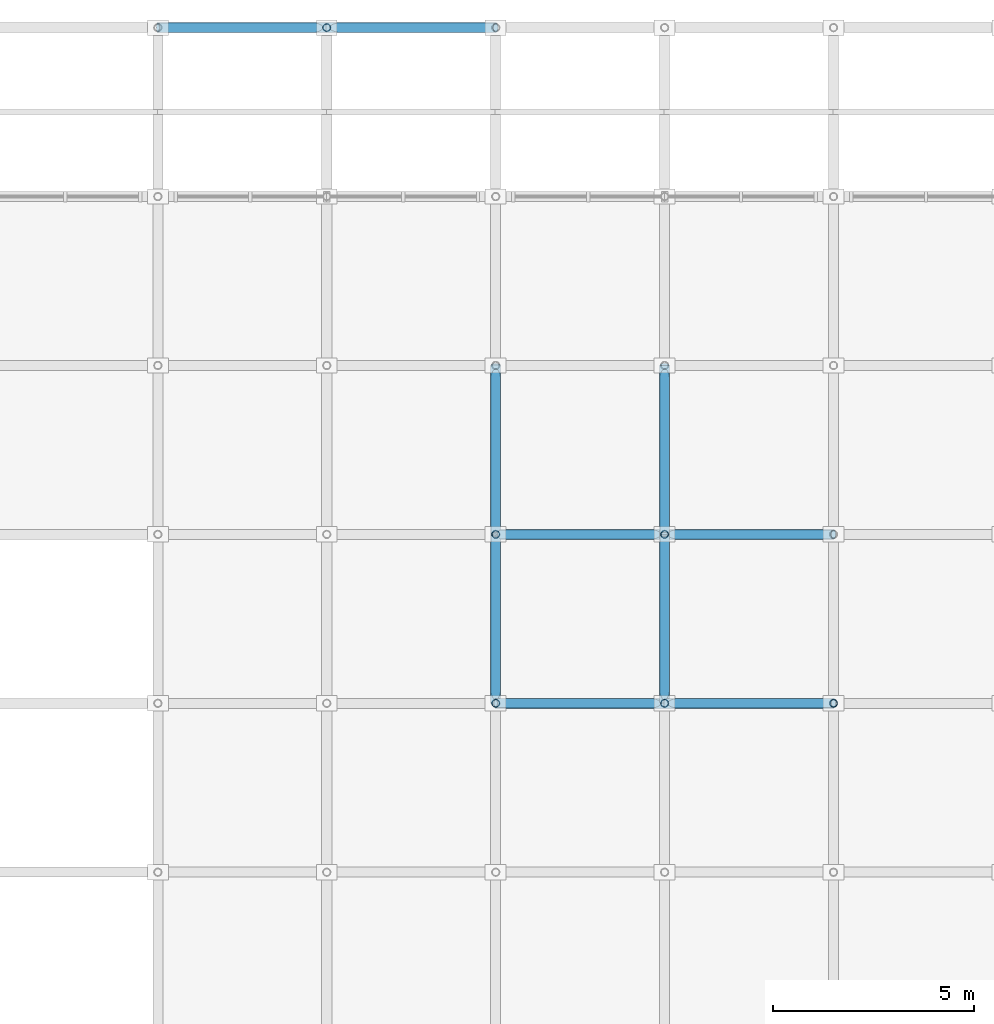
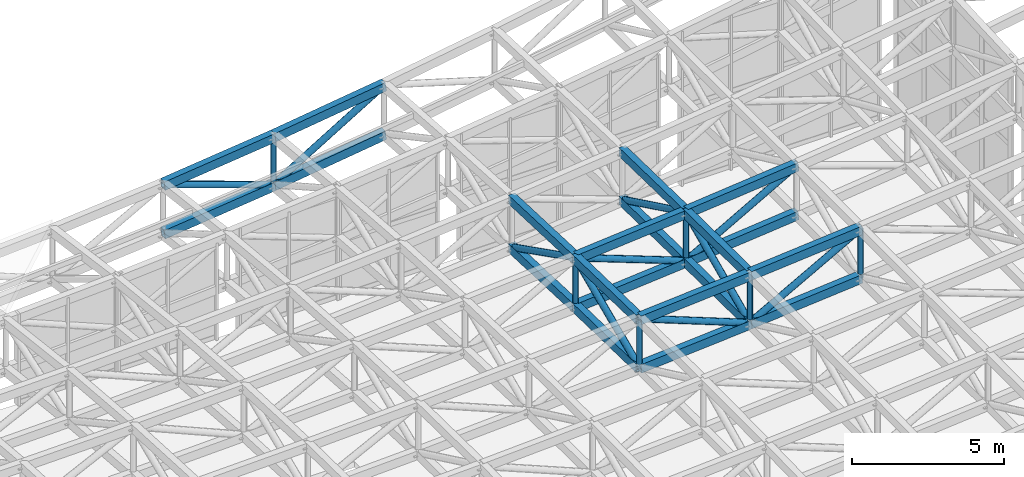
# One storey, part 57 of 111: 36 members.
"""IFC4 building model written with IfcOpenShell, lengths in metres."""

import ifcopenshell
import ifcopenshell.guid

model = None  # the IFC model being written
_history = None  # IfcOwnerHistory: only IFC2X3 demands one
_inside = {}  # id of a spatial element -> (the spatial element, [elements in it])
_under = {}  # id of a project, library or spatial element -> (it, [spatial elements below it])
_declared = {}  # id of a project -> (the project, [libraries it declares])
_typed = {}  # id of a type object -> (the type object, [elements of that type])
_made_of = {}  # id of a material, layer set ... -> (it, [elements and type objects made of it])


def new_model(schema):
    """Start an empty IFC model of exactly this schema.

    Asked for "IFC4X3", IfcOpenShell would pick the latest addendum, in which some entities
    have other attributes; the version numbers below select the first issue.
    IFC2X3 requires an IfcOwnerHistory on every rooted entity: one is made here for all.
    """
    global model, _history
    if schema == "IFC4X3":
        model = ifcopenshell.file(schema_version=(4, 3, 0, 0))
    else:
        model = ifcopenshell.file(schema=schema)
    _inside.clear()
    _under.clear()
    _declared.clear()
    _typed.clear()
    _made_of.clear()
    _history = None
    if model.schema == "IFC2X3":
        org = make("IfcOrganization", Name="unknown")
        user = make(
            "IfcPersonAndOrganization",
            ThePerson=make("IfcPerson", FamilyName="unknown"),
            TheOrganization=org,
        )
        app = make(
            "IfcApplication",
            ApplicationDeveloper=org,
            Version="unknown",
            ApplicationFullName="unknown",
            ApplicationIdentifier="unknown",
        )
        _history = make(
            "IfcOwnerHistory",
            OwningUser=user,
            OwningApplication=app,
            ChangeAction="ADDED",
            CreationDate=0,
        )
    return model


def make(cls, **values):
    """One entity of the class cls with the attributes given. An attribute that is None is left unset."""
    return model.create_entity(
        cls, **{name: value for name, value in values.items() if value is not None}
    )


def rooted(cls, **values):
    """An entity with a GlobalId (a new one), such as an element, a storey or a relation."""
    return make(cls, GlobalId=ifcopenshell.guid.new(), OwnerHistory=_history, **values)


def si_unit(unit_type, name, prefix=None):
    """IfcSIUnit, for example si_unit("LENGTHUNIT", "METRE", prefix="MILLI")."""
    return make("IfcSIUnit", UnitType=unit_type, Prefix=prefix, Name=name)


def assignment(units):
    """IfcUnitAssignment: the units of a project."""
    return None if units is None else make("IfcUnitAssignment", Units=units)


def point(xyz):
    """IfcCartesianPoint."""
    return None if xyz is None else make("IfcCartesianPoint", Coordinates=xyz)


def direction(xyz):
    """IfcDirection."""
    return None if xyz is None else make("IfcDirection", DirectionRatios=xyz)


def frame(location, z_axis=None, x_axis=None):
    """IfcAxis2Placement3D, a coordinate frame: its origin and axes. An axis left out is left unset."""
    return make(
        "IfcAxis2Placement3D",
        Location=point(location),
        Axis=direction(z_axis),
        RefDirection=direction(x_axis),
    )


def frame_2d(location, x_axis=None):
    """IfcAxis2Placement2D, a coordinate frame in the plane: its origin and x axis."""
    return make(
        "IfcAxis2Placement2D", Location=point(location), RefDirection=direction(x_axis)
    )


def origin():
    """The frame at (0, 0, 0) with its axes left unset."""
    return frame((0.0, 0.0, 0.0))


def origin_2d():
    """The frame at (0, 0) in the plane with its x axis left unset."""
    return frame_2d((0.0, 0.0))


def place(relative_to, where):
    """IfcLocalPlacement: puts the frame where relative to a parent placement (None: the world)."""
    return make(
        "IfcLocalPlacement", PlacementRelTo=relative_to, RelativePlacement=where
    )


def context(
    kind, dimensions, precision=None, world=None, true_north=None, identifier=None
):
    """IfcGeometricRepresentationContext, for example the 3D "Model" context."""
    return make(
        "IfcGeometricRepresentationContext",
        ContextIdentifier=identifier,
        ContextType=kind,
        CoordinateSpaceDimension=dimensions,
        Precision=precision,
        WorldCoordinateSystem=world,
        TrueNorth=true_north,
    )


def subcontext(parent, identifier, kind, view, scale=None):
    """IfcGeometricRepresentationSubContext, for example "Body" below "Model"."""
    return make(
        "IfcGeometricRepresentationSubContext",
        ContextIdentifier=identifier,
        ContextType=kind,
        ParentContext=parent,
        TargetScale=scale,
        TargetView=view,
    )


def project(units=None, contexts=None):
    """IfcProject with its units and contexts."""
    return rooted(
        "IfcProject",
        Name="project",
        RepresentationContexts=contexts,
        UnitsInContext=assignment(units),
    )


def spatial(cls, under=None, at=None, **own):
    """A site, building, storey or space (cls), placed at a placement, below another one or the project."""
    s = rooted(cls, ObjectPlacement=at, **own)
    if under is not None:
        _under.setdefault(under.id(), (under, []))[1].append(s)
    return s


def profile(cls, at=None, kind="AREA", **sizes):
    """A parametric profile (cls). Its sizes go by their IFC names, for example OverallWidth=200.0."""
    return make(cls, ProfileType=kind, Position=at, **sizes)


def hollow_rectangle(**sizes):
    """IfcRectangleHollowProfileDef."""
    return profile("IfcRectangleHollowProfileDef", **sizes)


def hollow_circle(**sizes):
    """IfcCircleHollowProfileDef."""
    return profile("IfcCircleHollowProfileDef", **sizes)


def extrude(swept, where, along, depth):
    """IfcExtrudedAreaSolid: the profile swept, set in the frame where, extruded along a direction by depth."""
    return make(
        "IfcExtrudedAreaSolid",
        SweptArea=swept,
        Position=where,
        ExtrudedDirection=direction(along),
        Depth=depth,
    )


def shape(context_of_items, identifier, shape_type, items):
    """IfcShapeRepresentation: the items that make up one representation, for example the "Body"."""
    return make(
        "IfcShapeRepresentation",
        ContextOfItems=context_of_items,
        RepresentationIdentifier=identifier,
        RepresentationType=shape_type,
        Items=items,
    )


def material(Name=None, Category=None):
    """IfcMaterial."""
    return make("IfcMaterial", Name=Name, Category=Category)


def material_profile(
    of_material, cross_section, Name=None, Category=None, Priority=None
):
    """IfcMaterialProfile: a cross section and its material."""
    return make(
        "IfcMaterialProfile",
        Name=Name,
        Material=of_material,
        Profile=cross_section,
        Priority=Priority,
        Category=Category,
    )


def profile_set(profiles, Name=None, composite=None):
    """IfcMaterialProfileSet."""
    return make(
        "IfcMaterialProfileSet",
        Name=Name,
        MaterialProfiles=profiles,
        CompositeProfile=composite,
    )


def made_of(thing, what):
    """Note that an element or type object is made of a material, layer set ...; save() writes the relation."""
    if what is not None:
        _made_of.setdefault(what.id(), (what, []))[1].append(thing)
    return thing


def type_object(cls, material=None, **own):
    """A type object (cls), such as IfcWallType, which elements share."""
    return made_of(rooted(cls, **own), material)


def element(
    cls,
    number,
    at=None,
    inside=None,
    cuts=None,
    type_object=None,
    material=None,
    context=None,
    identifier="Body",
    shape_type=None,
    held_by="IfcProductDefinitionShape",
    body=None,
    shapes=None,
    **own,
):
    """One element of the class cls, such as IfcWall. Its Tag is "e" and its number.

    at: its placement. inside: the storey or other place that contains it. cuts: it is an
    opening in that element (IfcRelVoidsElement). A single representation is given by context,
    identifier, shape_type and body (its items); several are given by shapes. held_by: the class
    of the entity that holds the representations. save() writes the other relations.
    """
    e = rooted(cls, Tag="e%d" % number, ObjectPlacement=at, **own)
    if body is not None:
        shapes = [shape(context, identifier, shape_type, body)]
    if shapes is not None:
        e.Representation = make(held_by, Representations=shapes)
    if inside is not None:
        _inside.setdefault(inside.id(), (inside, []))[1].append(e)
    if cuts is not None:
        rooted(
            "IfcRelVoidsElement", RelatingBuildingElement=cuts, RelatedOpeningElement=e
        )
    if type_object is not None:
        _typed.setdefault(type_object.id(), (type_object, []))[1].append(e)
    return made_of(e, material)


def aggregate(whole, parts):
    """IfcRelAggregates: a whole, such as a stair, and the parts it consists of."""
    return rooted("IfcRelAggregates", RelatingObject=whole, RelatedObjects=parts)


def save(model, path):
    """Write the relations noted so far, then the file.

    IfcRelAggregates (storeys below a building ...), IfcRelContainedInSpatialStructure (elements
    in a storey), IfcRelDefinesByType, IfcRelAssociatesMaterial and IfcRelDeclares: one each for
    every whole, place, type object, material and project.
    """
    for whole, parts in _under.values():
        aggregate(whole, parts)
    for where, things in _inside.values():
        rooted(
            "IfcRelContainedInSpatialStructure",
            RelatedElements=things,
            RelatingStructure=where,
        )
    for kind, things in _typed.values():
        rooted("IfcRelDefinesByType", RelatedObjects=things, RelatingType=kind)
    for what, things in _made_of.values():
        rooted("IfcRelAssociatesMaterial", RelatedObjects=things, RelatingMaterial=what)
    for by, libraries in _declared.values():
        rooted("IfcRelDeclares", RelatingContext=by, RelatedDefinitions=libraries)
    model.write(path)


model = new_model("IFC4")

# Units and contexts
model_context = context("Model", 3, precision=1e-05, world=origin(), true_north=direction((0.0, 1.0)))
body_context = subcontext(model_context, "Body", "Model", "MODEL_VIEW")
ifc_project = project(units=[si_unit("LENGTHUNIT", "METRE"), si_unit("AREAUNIT", "SQUARE_METRE"), si_unit("VOLUMEUNIT", "CUBIC_METRE"), si_unit("PLANEANGLEUNIT", "RADIAN"), si_unit("MASSUNIT", "GRAM", prefix="KILO")], contexts=[model_context])

# Site, building, storey
site_placement = place(None, origin())
site = spatial("IfcSite", under=ifc_project, at=site_placement, CompositionType="ELEMENT")
building_placement = place(site_placement, origin())
building = spatial("IfcBuilding", under=site, at=building_placement, Name="Cumbredor Promenade Congress Hotel", CompositionType="ELEMENT")
storey_placement = place(building_placement, frame((0.0, 0.0, 15.1201171875)))
storey = spatial("IfcBuildingStorey", under=building, at=storey_placement, Name="L04", CompositionType="ELEMENT", Elevation=15.1201171875)

# Members
ifc_material = material(Name="Steel ASTM A500 Grade C", Category="steel")
ifc_material_profile_1 = material_profile(ifc_material, hollow_rectangle(XDim=0.25, YDim=0.35009765625, WallThickness=0.01611328125, at=origin_2d()), Name="HSS 350x250x16")
ifc_profile_set_1 = profile_set([ifc_material_profile_1], Name="Steel ASTM A500 Grade C")
member_type_1 = type_object("IfcMemberType", Name="Forum Roof Truss Chord", PredefinedType="CHORD", material=ifc_profile_set_1)
for number, where, z_axis, x_axis, name in (
    (1, (159.60009765625, 105.0, 5.345703125), (0.997178629164, 0.0, 0.075065181931), (0.0, 1.0, 0.0), "Pre-Function and Breakout Meeting Forum X Top Chord 18.7"),
    (2, (159.60009765625, 105.0, 3.395751953125), (0.997182966423, 0.0, 0.075007542786), (0.0, 1.0, 0.0), "Pre-Function and Breakout Meeting Forum X Bottom Chord 18.7"),
):
    element("IfcMember", number, at=place(storey_placement, frame(where, z_axis=z_axis, x_axis=x_axis)), inside=storey, type_object=member_type_1, Name=name, PredefinedType="CHORD", context=body_context, shape_type="SweptSolid", body=[
        extrude(hollow_rectangle(XDim=0.25, YDim=0.35009765625, WallThickness=0.01611328125, at=origin_2d()), origin(), (0.0, 0.0, 1.0), 4.2119140625),
    ])
for number, where, z_axis, x_axis, name in (
    (3, (163.800048828125, 105.0, 5.661865234375), (0.996255133542, 0.0, 0.086462181851), (0.0, 1.0, 0.0), "Pre-Function and Breakout Meeting Forum X Top Chord 19.7"),
    (4, (163.800048828125, 105.0, 3.711669921875), (0.996250143488, 0.0, 0.086519660197), (0.0, 1.0, 0.0), "Pre-Function and Breakout Meeting Forum X Bottom Chord 19.7"),
):
    element("IfcMember", number, at=place(storey_placement, frame(where, z_axis=z_axis, x_axis=x_axis)), inside=storey, type_object=member_type_1, Name=name, PredefinedType="CHORD", context=body_context, shape_type="SweptSolid", body=[
        extrude(hollow_rectangle(XDim=0.25, YDim=0.35009765625, WallThickness=0.01611328125, at=origin_2d()), origin(), (0.0, 0.0, 1.0), 4.2158203125),
    ])
for number, where, z_axis, x_axis, name in (
    (5, (159.60009765625, 109.199951171875, 5.24560546875), (0.996294936381, 0.0, 0.086002324044), (0.0, 1.0, 0.0), "Pre-Function and Breakout Meeting Forum X Top Chord 18.8"),
    (6, (159.60009765625, 109.199951171875, 3.295654296875), (0.996294936381, 0.0, 0.086002324044), (0.0, 1.0, 0.0), "Pre-Function and Breakout Meeting Forum X Bottom Chord 18.8"),
):
    element("IfcMember", number, at=place(storey_placement, frame(where, z_axis=z_axis, x_axis=x_axis)), inside=storey, type_object=member_type_1, Name=name, PredefinedType="CHORD", context=body_context, shape_type="SweptSolid", body=[
        extrude(hollow_rectangle(XDim=0.25, YDim=0.35009765625, WallThickness=0.01611328125, at=origin_2d()), origin(), (0.0, 0.0, 1.0), 4.215576171875),
    ])
for number, where, z_axis, x_axis, name in (
    (7, (163.800048828125, 109.199951171875, 5.608154296875), (0.99507890994, 0.0, 0.099085634641), (0.0, 1.0, 0.0), "Pre-Function and Breakout Meeting Forum X Top Chord 19.8"),
    (8, (163.800048828125, 109.199951171875, 3.658203125), (0.995084611563, 0.0, 0.099028358716), (0.0, 1.0, 0.0), "Pre-Function and Breakout Meeting Forum X Bottom Chord 19.8"),
):
    element("IfcMember", number, at=place(storey_placement, frame(where, z_axis=z_axis, x_axis=x_axis)), inside=storey, type_object=member_type_1, Name=name, PredefinedType="CHORD", context=body_context, shape_type="SweptSolid", body=[
        extrude(hollow_rectangle(XDim=0.25, YDim=0.35009765625, WallThickness=0.01611328125, at=origin_2d()), origin(), (0.0, 0.0, 1.0), 4.220703125),
    ])
for number, where, z_axis, x_axis, name in (
    (9, (151.199951171875, 121.800048828125, 3.48974609375), (0.993643341415, 0.0, 0.11257402037), (0.0, 1.0, 0.0), "Pre-Function and Breakout Meeting Forum X Top Chord 16.11"),
    (10, (151.199951171875, 121.800048828125, 1.539794921875), (0.993643341415, 0.0, 0.11257402037), (0.0, 1.0, 0.0), "Pre-Function and Breakout Meeting Forum X Bottom Chord 16.11"),
):
    element("IfcMember", number, at=place(storey_placement, frame(where, z_axis=z_axis, x_axis=x_axis)), inside=storey, type_object=member_type_1, Name=name, PredefinedType="CHORD", context=body_context, shape_type="SweptSolid", body=[
        extrude(hollow_rectangle(XDim=0.25, YDim=0.35009765625, WallThickness=0.01611328125, at=origin_2d()), origin(), (0.0, 0.0, 1.0), 4.226806640625),
    ])
for number, where, z_axis, x_axis, name in (
    (11, (155.39990234375, 121.800048828125, 3.965576171875), (0.990558409164, 0.0, 0.137091349234), (0.0, 1.0, 0.0), "Pre-Function and Breakout Meeting Forum X Top Chord 17.11"),
    (12, (155.39990234375, 121.800048828125, 2.015625), (0.990558409164, 0.0, 0.137091349234), (0.0, 1.0, 0.0), "Pre-Function and Breakout Meeting Forum X Bottom Chord 17.11"),
):
    element("IfcMember", number, at=place(storey_placement, frame(where, z_axis=z_axis, x_axis=x_axis)), inside=storey, type_object=member_type_1, Name=name, PredefinedType="CHORD", context=body_context, shape_type="SweptSolid", body=[
        extrude(hollow_rectangle(XDim=0.25, YDim=0.35009765625, WallThickness=0.01611328125, at=origin_2d()), origin(), (0.0, 0.0, 1.0), 4.240234375),
    ])
for number, where, z_axis, x_axis, name in (
    (13, (159.60009765625, 105.0, 5.345703125), (0.0, 0.99971611374, -0.023826286498), (-1.0, 0.0, 0.0), "Pre-Function and Breakout Meeting Forum Y Top Chord 18.7"),
    (14, (159.60009765625, 105.0, 3.395751953125), (0.0, 0.99971611374, -0.023826286498), (-1.0, 0.0, 0.0), "Pre-Function and Breakout Meeting Forum Y Bottom Chord 18.7"),
):
    element("IfcMember", number, at=place(storey_placement, frame(where, z_axis=z_axis, x_axis=x_axis)), inside=storey, type_object=member_type_1, Name=name, PredefinedType="CHORD", context=body_context, shape_type="SweptSolid", body=[
        extrude(hollow_rectangle(XDim=0.25, YDim=0.35009765625, WallThickness=0.01611328125, at=origin_2d()), origin(), (0.0, 0.0, 1.0), 4.201171875),
    ])
for number, where, z_axis, x_axis, name in (
    (15, (159.60009765625, 109.199951171875, 5.24560546875), (0.0, 0.999215091886, -0.039613131004), (-1.0, 0.0, 0.0), "Pre-Function and Breakout Meeting Forum Y Top Chord 18.8"),
    (16, (159.60009765625, 109.199951171875, 3.295654296875), (0.0, 0.999212791134, -0.039671123429), (-1.0, 0.0, 0.0), "Pre-Function and Breakout Meeting Forum Y Bottom Chord 18.8"),
):
    element("IfcMember", number, at=place(storey_placement, frame(where, z_axis=z_axis, x_axis=x_axis)), inside=storey, type_object=member_type_1, Name=name, PredefinedType="CHORD", context=body_context, shape_type="SweptSolid", body=[
        extrude(hollow_rectangle(XDim=0.25, YDim=0.35009765625, WallThickness=0.01611328125, at=origin_2d()), origin(), (0.0, 0.0, 1.0), 4.203369140625),
    ])
for number, where, z_axis, x_axis, name in (
    (17, (163.800048828125, 105.0, 5.661865234375), (0.0, 0.999918237583, -0.012787421512), (-1.0, 0.0, 0.0), "Pre-Function and Breakout Meeting Forum Y Top Chord 19.7"),
    (18, (163.800048828125, 105.0, 3.711669921875), (0.0, 0.999918979098, -0.012729306308), (-1.0, 0.0, 0.0), "Pre-Function and Breakout Meeting Forum Y Bottom Chord 19.7"),
):
    element("IfcMember", number, at=place(storey_placement, frame(where, z_axis=z_axis, x_axis=x_axis)), inside=storey, type_object=member_type_1, Name=name, PredefinedType="CHORD", context=body_context, shape_type="SweptSolid", body=[
        extrude(hollow_rectangle(XDim=0.25, YDim=0.35009765625, WallThickness=0.01611328125, at=origin_2d()), origin(), (0.0, 0.0, 1.0), 4.2001953125),
    ])
for number, where, z_axis, x_axis, name in (
    (19, (163.800048828125, 109.199951171875, 5.608154296875), (0.0, 0.999773756353, -0.021270545534), (-1.0, 0.0, 0.0), "Pre-Function and Breakout Meeting Forum Y Top Chord 19.8"),
    (20, (163.800048828125, 109.199951171875, 3.658203125), (0.0, 0.999772518783, -0.021328635377), (-1.0, 0.0, 0.0), "Pre-Function and Breakout Meeting Forum Y Bottom Chord 19.8"),
):
    element("IfcMember", number, at=place(storey_placement, frame(where, z_axis=z_axis, x_axis=x_axis)), inside=storey, type_object=member_type_1, Name=name, PredefinedType="CHORD", context=body_context, shape_type="SweptSolid", body=[
        extrude(hollow_rectangle(XDim=0.25, YDim=0.35009765625, WallThickness=0.01611328125, at=origin_2d()), origin(), (0.0, 0.0, 1.0), 4.200927734375),
    ])
ifc_material_profile_2 = material_profile(ifc_material, hollow_circle(Radius=0.122314453125, WallThickness=0.012451171875, at=origin_2d()), Name="CHS 244.5x12.5")
ifc_profile_set_2 = profile_set([ifc_material_profile_2], Name="Steel ASTM A500 Grade C")
member_type_2 = type_object("IfcMemberType", Name="Space Frame Web Diagonal D2", PredefinedType="BRACE", material=ifc_profile_set_2)
member_1_placement = place(storey_placement, frame((159.60009765625, 105.0, 5.345703125), z_axis=(0.931950777982, 0.0, -0.362584814104), x_axis=(0.0, 1.0, 0.0)))
element("IfcMember", 21, at=member_1_placement, inside=storey, type_object=member_type_2, Name="Pre-Function and Breakout Meeting Forum X Web Diagonal 18.7", PredefinedType="BRACE", context=body_context, shape_type="SweptSolid", body=[
    extrude(hollow_circle(Radius=0.122314453125, WallThickness=0.012451171875, at=origin_2d()), origin(), (0.0, 0.0, 1.0), 4.506591796875),
])
member_2_placement = place(storey_placement, frame((163.800048828125, 105.0, 3.711669921875), z_axis=(0.875799607979, 0.0, 0.482674887127), x_axis=(0.0, 1.0, 0.0)))
element("IfcMember", 22, at=member_2_placement, inside=storey, type_object=member_type_2, Name="Pre-Function and Breakout Meeting Forum X Web Diagonal 19.7", PredefinedType="BRACE", context=body_context, shape_type="SweptSolid", body=[
    extrude(hollow_circle(Radius=0.122314453125, WallThickness=0.012451171875, at=origin_2d()), origin(), (0.0, 0.0, 1.0), 4.795654296875),
])
member_3_placement = place(storey_placement, frame((159.60009765625, 109.199951171875, 5.24560546875), z_axis=(0.935416555501, 0.0, -0.353547546583), x_axis=(0.0, 1.0, 0.0)))
element("IfcMember", 23, at=member_3_placement, inside=storey, type_object=member_type_2, Name="Pre-Function and Breakout Meeting Forum X Web Diagonal 18.8", PredefinedType="BRACE", context=body_context, shape_type="SweptSolid", body=[
    extrude(hollow_circle(Radius=0.122314453125, WallThickness=0.012451171875, at=origin_2d()), origin(), (0.0, 0.0, 1.0), 4.489990234375),
])
member_4_placement = place(storey_placement, frame((163.800048828125, 109.199951171875, 3.658203125), z_axis=(0.871070680994, 0.0, 0.491157682128), x_axis=(0.0, 1.0, 0.0)))
element("IfcMember", 24, at=member_4_placement, inside=storey, type_object=member_type_2, Name="Pre-Function and Breakout Meeting Forum X Web Diagonal 19.8", PredefinedType="BRACE", context=body_context, shape_type="SweptSolid", body=[
    extrude(hollow_circle(Radius=0.122314453125, WallThickness=0.012451171875, at=origin_2d()), origin(), (0.0, 0.0, 1.0), 4.821533203125),
])
member_5_placement = place(storey_placement, frame((151.199951171875, 121.800048828125, 3.48974609375), z_axis=(0.943568111505, 0.0, -0.33117853033), x_axis=(0.0, 1.0, 0.0)))
element("IfcMember", 25, at=member_5_placement, inside=storey, type_object=member_type_2, Name="Pre-Function and Breakout Meeting Forum X Web Diagonal 16.11", PredefinedType="BRACE", context=body_context, shape_type="SweptSolid", body=[
    extrude(hollow_circle(Radius=0.122314453125, WallThickness=0.012451171875, at=origin_2d()), origin(), (0.0, 0.0, 1.0), 4.451171875),
])
member_6_placement = place(storey_placement, frame((155.39990234375, 121.800048828125, 2.015625), z_axis=(0.856489757249, 0.0, 0.516164020179), x_axis=(0.0, 1.0, 0.0)))
element("IfcMember", 26, at=member_6_placement, inside=storey, type_object=member_type_2, Name="Pre-Function and Breakout Meeting Forum X Web Diagonal 17.11", PredefinedType="BRACE", context=body_context, shape_type="SweptSolid", body=[
    extrude(hollow_circle(Radius=0.122314453125, WallThickness=0.012451171875, at=origin_2d()), origin(), (0.0, 0.0, 1.0), 4.904052734375),
])
member_7_placement = place(storey_placement, frame((159.60009765625, 105.0, 3.395751953125), z_axis=(0.0, 0.915164359743, 0.403080878554), x_axis=(-1.0, 0.0, 0.0)))
element("IfcMember", 27, at=member_7_placement, inside=storey, type_object=member_type_2, Name="Pre-Function and Breakout Meeting Forum Y Web Diagonal 18.7", PredefinedType="BRACE", context=body_context, shape_type="SweptSolid", body=[
    extrude(hollow_circle(Radius=0.122314453125, WallThickness=0.012451171875, at=origin_2d()), origin(), (0.0, 0.0, 1.0), 4.58935546875),
])
member_8_placement = place(storey_placement, frame((159.60009765625, 109.199951171875, 5.24560546875), z_axis=(0.0, 0.893000345184, -0.450055978187), x_axis=(-1.0, 0.0, 0.0)))
element("IfcMember", 28, at=member_8_placement, inside=storey, type_object=member_type_2, Name="Pre-Function and Breakout Meeting Forum Y Web Diagonal 18.8", PredefinedType="BRACE", context=body_context, shape_type="SweptSolid", body=[
    extrude(hollow_circle(Radius=0.122314453125, WallThickness=0.012451171875, at=origin_2d()), origin(), (0.0, 0.0, 1.0), 4.703125),
])
member_9_placement = place(storey_placement, frame((163.800048828125, 105.0, 3.711669921875), z_axis=(0.0, 0.911392394281, 0.4115384595), x_axis=(-1.0, 0.0, 0.0)))
element("IfcMember", 29, at=member_9_placement, inside=storey, type_object=member_type_2, Name="Pre-Function and Breakout Meeting Forum Y Web Diagonal 19.7", PredefinedType="BRACE", context=body_context, shape_type="SweptSolid", body=[
    extrude(hollow_circle(Radius=0.122314453125, WallThickness=0.012451171875, at=origin_2d()), origin(), (0.0, 0.0, 1.0), 4.6083984375),
])
member_10_placement = place(storey_placement, frame((163.800048828125, 109.199951171875, 5.608154296875), z_axis=(0.0, 0.899543971059, -0.436830223463), x_axis=(-1.0, 0.0, 0.0)))
element("IfcMember", 30, at=member_10_placement, inside=storey, type_object=member_type_2, Name="Pre-Function and Breakout Meeting Forum Y Web Diagonal 19.8", PredefinedType="BRACE", context=body_context, shape_type="SweptSolid", body=[
    extrude(hollow_circle(Radius=0.122314453125, WallThickness=0.012451171875, at=origin_2d()), origin(), (0.0, 0.0, 1.0), 4.6689453125),
])
ifc_material_profile_3 = material_profile(ifc_material, hollow_circle(Radius=0.096923828125, WallThickness=0.010009765625, at=origin_2d()), Name="CHS 193.7x10")
ifc_profile_set_3 = profile_set([ifc_material_profile_3], Name="Steel ASTM A500 Grade C")
member_type_3 = type_object("IfcMemberType", Name="Space Frame Web Post P1", PredefinedType="BRACE", material=ifc_profile_set_3)
for number, where, z_axis, x_axis, name in (
    (31, (155.39990234375, 121.800048828125, 2.015625), (0.0, 0.0, 1.0), (1.0, 0.0, 0.0), "Pre-Function and Breakout Meeting Forum Space Frame Web Post 17.11"),
    (32, (159.60009765625, 105.0, 3.395751953125), (0.0, 0.0, 1.0), (1.0, 0.0, 0.0), "Pre-Function and Breakout Meeting Forum Space Frame Web Post 18.7"),
    (33, (159.60009765625, 109.199951171875, 3.295654296875), (0.0, 0.0, 1.0), (1.0, 0.0, 0.0), "Pre-Function and Breakout Meeting Forum Space Frame Web Post 18.8"),
):
    element("IfcMember", number, at=place(storey_placement, frame(where, z_axis=z_axis, x_axis=x_axis)), inside=storey, type_object=member_type_3, Name=name, PredefinedType="BRACE", context=body_context, shape_type="SweptSolid", body=[
        extrude(hollow_circle(Radius=0.096923828125, WallThickness=0.010009765625, at=origin_2d()), origin(), (0.0, 0.0, 1.0), 1.949951171875),
    ])
member_11_placement = place(storey_placement, frame((163.800048828125, 105.0, 3.711669921875), z_axis=(0.0, 0.0, 1.0), x_axis=(1.0, 0.0, 0.0)))
element("IfcMember", 34, at=member_11_placement, inside=storey, type_object=member_type_3, Name="Pre-Function and Breakout Meeting Forum Space Frame Web Post 19.7", PredefinedType="BRACE", context=body_context, shape_type="SweptSolid", body=[
    extrude(hollow_circle(Radius=0.096923828125, WallThickness=0.010009765625, at=origin_2d()), origin(), (0.0, 0.0, 1.0), 1.9501953125),
])
for number, where, z_axis, x_axis, name in (
    (35, (163.800048828125, 109.199951171875, 3.658203125), (0.0, 0.0, 1.0), (1.0, 0.0, 0.0), "Pre-Function and Breakout Meeting Forum Space Frame Web Post 19.8"),
    (36, (168.0, 105.0, 4.076416015625), (0.0, 0.0, 1.0), (1.0, 0.0, 0.0), "Pre-Function and Breakout Meeting Forum Space Frame Web Post 20.7"),
):
    element("IfcMember", number, at=place(storey_placement, frame(where, z_axis=z_axis, x_axis=x_axis)), inside=storey, type_object=member_type_3, Name=name, PredefinedType="BRACE", context=body_context, shape_type="SweptSolid", body=[
        extrude(hollow_circle(Radius=0.096923828125, WallThickness=0.010009765625, at=origin_2d()), origin(), (0.0, 0.0, 1.0), 1.949951171875),
    ])

save(model, "model.ifc")
